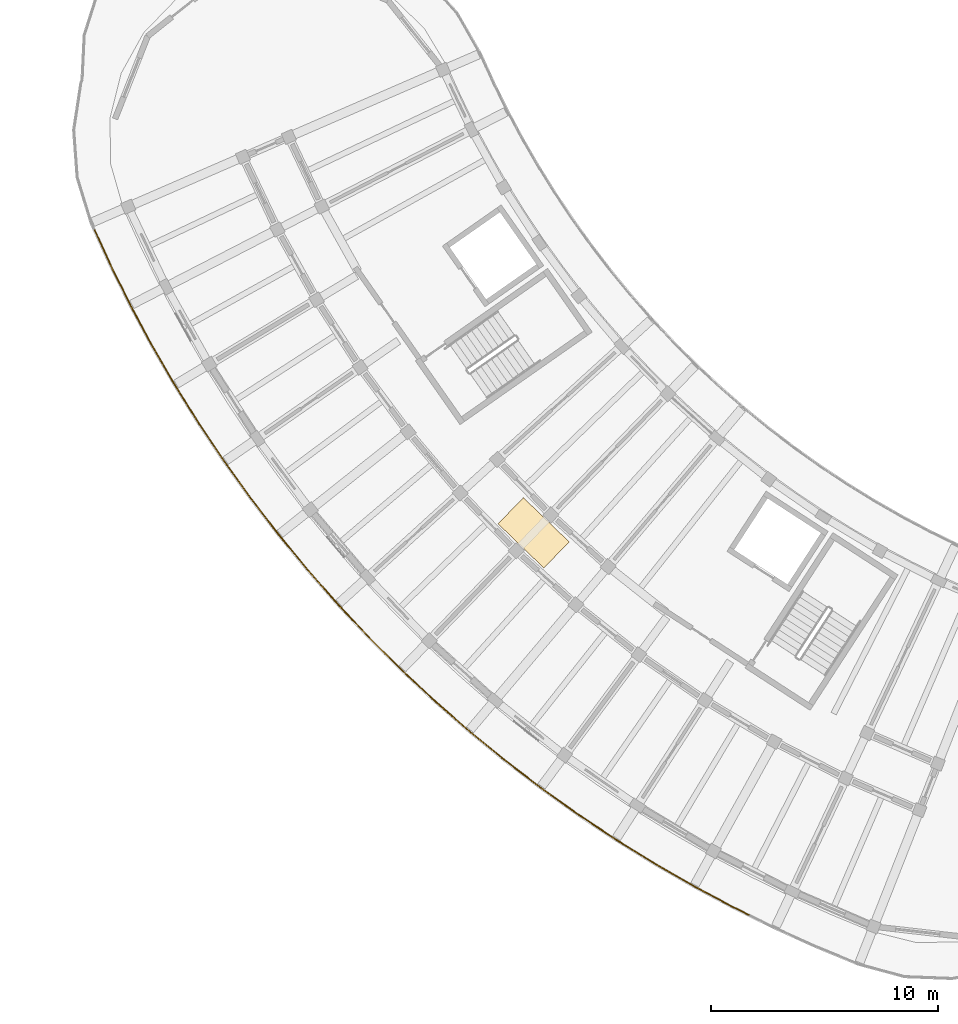
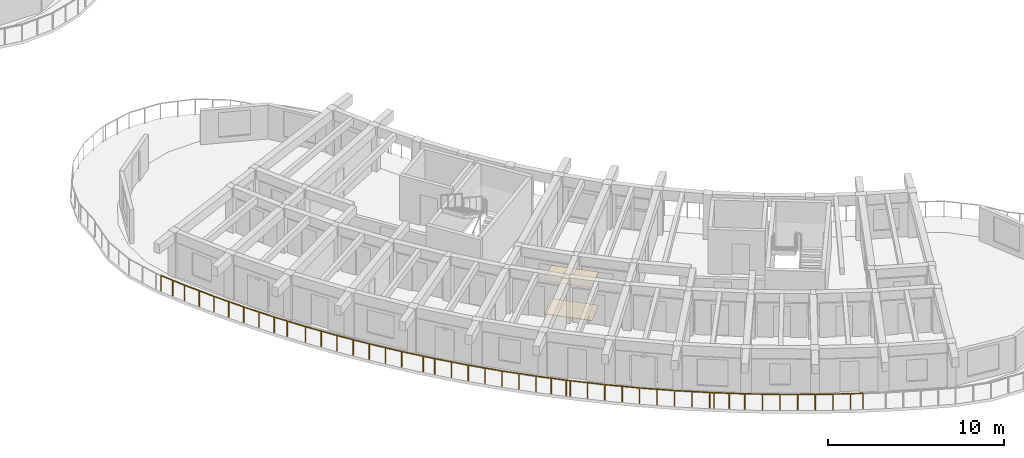
# One storey, part 42 of 56: 5 railings, 2 coverings.
"""IFC4 building model written with IfcOpenShell, lengths in metres."""

from ifc_helpers import new_model, si_unit, direction, frame, origin, origin_2d, place, context, subcontext, project, spatial, rectangle, circle, extrude, material, layer, layer_set, type_object, element, save


model = new_model("IFC4")

# Units and contexts
model_context = context("Model", 3, precision=1e-05, world=origin(), true_north=direction((0.0, 1.0)))
body_context = subcontext(model_context, "Body", "Model", "MODEL_VIEW")
ifc_project = project(units=[si_unit("LENGTHUNIT", "METRE"), si_unit("AREAUNIT", "SQUARE_METRE"), si_unit("VOLUMEUNIT", "CUBIC_METRE"), si_unit("PLANEANGLEUNIT", "RADIAN"), si_unit("MASSUNIT", "GRAM", prefix="KILO")], contexts=[model_context])

# Site, building, storey
site_placement = place(None, origin())
site = spatial("IfcSite", under=ifc_project, at=site_placement, CompositionType="ELEMENT")
building_placement = place(site_placement, origin())
building = spatial("IfcBuilding", under=site, at=building_placement, Name="Tanwirah Colonnade Gardens", CompositionType="ELEMENT")
storey_placement = place(building_placement, frame((0.0, 0.0, 29.0)))
storey = spatial("IfcBuildingStorey", under=building, at=storey_placement, Name="L08", CompositionType="ELEMENT", Elevation=29.0)

# Railings
ifc_material_1 = material(Name="Precast concrete C40/50", Category="concrete")
railing_type = type_object("IfcRailingType", Name="BAL-EXT110", PredefinedType="BALUSTRADE", material=ifc_material_1)
railing_1_placement = place(storey_placement, frame((37.6845703125, 9.6083984375, 0.0)))
element("IfcRailing", 1, at=railing_1_placement, inside=storey, type_object=railing_type, Name="Block C L08 Balcony Ribbon Balustrade 10", PredefinedType="BALUSTRADE", context=body_context, shape_type="SweptSolid", body=[
    extrude(circle(Radius=0.02392578125, at=origin_2d()), frame((-0.028076171875, 0.013916015625, 1.076171875), z_axis=(-0.897341109035, 0.441337664421, 0.0), x_axis=(-0.441337664421, -0.897341109035, 0.0)), (0.0, 0.0, 1.0), 0.6533203125),
    extrude(circle(Radius=0.02392578125, at=origin_2d()), frame((-0.669921875, 0.33056640625, 1.076171875), z_axis=(-0.882416921514, 0.470468252516, 0.0), x_axis=(-0.470468252516, -0.882416921514, 0.0)), (0.0, 0.0, 1.0), 1.944091796875),
    extrude(circle(Radius=0.02392578125, at=origin_2d()), frame((-2.440185546875, 1.275634765625, 1.076171875), z_axis=(-0.866598539642, 0.499005983021, 0.0), x_axis=(-0.499005983021, -0.866598539642, 0.0)), (0.0, 0.0, 1.0), 1.94384765625),
    extrude(circle(Radius=0.02392578125, at=origin_2d()), frame((-4.178466796875, 2.27783203125, 1.076171875), z_axis=(-0.84977735452, 0.527141771959, 0.0), x_axis=(-0.527141771959, -0.84977735452, 0.0)), (0.0, 0.0, 1.0), 1.9443359375),
    extrude(circle(Radius=0.02392578125, at=origin_2d()), frame((-5.88330078125, 3.33642578125, 1.076171875), z_axis=(-0.832050294338, 0.554700196225, 0.0), x_axis=(-0.554700196225, -0.832050294338, 0.0)), (0.0, 0.0, 1.0), 1.701416015625),
    extrude(circle(Radius=0.02099609375, at=origin_2d()), origin(), (0.0, 0.0, 1.0), 1.049072265625),
    extrude(circle(Radius=0.02099609375, at=origin_2d()), frame((-0.642333984375, 0.31591796875, 0.0)), (0.0, 0.0, 1.0), 1.049072265625),
    extrude(circle(Radius=0.02099609375, at=origin_2d()), frame((-1.52783203125, 0.7880859375, 0.0)), (0.0, 0.0, 1.0), 1.049072265625),
    extrude(circle(Radius=0.02099609375, at=origin_2d()), frame((-2.4130859375, 1.260009765625, 0.0)), (0.0, 0.0, 1.0), 1.049072265625),
    extrude(circle(Radius=0.02099609375, at=origin_2d()), frame((-3.282470703125, 1.7607421875, 0.0)), (0.0, 0.0, 1.0), 1.049072265625),
    extrude(circle(Radius=0.02099609375, at=origin_2d()), frame((-4.15185546875, 2.26123046875, 0.0)), (0.0, 0.0, 1.0), 1.049072265625),
    extrude(circle(Radius=0.02099609375, at=origin_2d()), frame((-5.00439453125, 2.7900390625, 0.0)), (0.0, 0.0, 1.0), 1.049072265625),
    extrude(circle(Radius=0.02099609375, at=origin_2d()), frame((-5.857177734375, 3.319091796875, 0.0)), (0.0, 0.0, 1.0), 1.049072265625),
    extrude(circle(Radius=0.02099609375, at=origin_2d()), frame((-6.591064453125, 3.808349609375, 0.0)), (0.0, 0.0, 1.0), 1.049072265625),
    extrude(circle(Radius=0.02099609375, at=origin_2d()), frame((-7.324951171875, 4.297607421875, 0.0)), (0.0, 0.0, 1.0), 1.049072265625),
])
railing_2_placement = place(storey_placement, frame((30.359619140625, 13.906005859375, 0.0)))
element("IfcRailing", 2, at=railing_2_placement, inside=storey, type_object=railing_type, Name="Block C L08 Balcony Ribbon Balustrade 11", PredefinedType="BALUSTRADE", context=body_context, shape_type="SweptSolid", body=[
    extrude(circle(Radius=0.02392578125, at=origin_2d()), frame((-0.026123046875, 0.017333984375, 1.076171875), z_axis=(-0.832205076382, 0.554467952946, 0.0), x_axis=(-0.554467952946, -0.832205076382, 0.0)), (0.0, 0.0, 1.0), 0.18017578125),
    extrude(circle(Radius=0.02392578125, at=origin_2d()), frame((-0.227294921875, 0.152587890625, 1.076171875), z_axis=(-0.813486769226, 0.581583421612, 0.0), x_axis=(-0.581583421612, -0.813486769226, 0.0)), (0.0, 0.0, 1.0), 1.944091796875),
    extrude(circle(Radius=0.02392578125, at=origin_2d()), frame((-1.859130859375, 1.320556640625, 1.076171875), z_axis=(-0.794033083107, 0.607874545388, 0.0), x_axis=(-0.607874545388, -0.794033083107, 0.0)), (0.0, 0.0, 1.0), 1.944091796875),
    extrude(circle(Radius=0.02392578125, at=origin_2d()), frame((-3.45166015625, 2.541015625, 1.076171875), z_axis=(-0.773707873236, 0.633542521771, 0.0), x_axis=(-0.633542521771, -0.773707873236, 0.0)), (0.0, 0.0, 1.0), 1.944091796875),
    extrude(circle(Radius=0.02392578125, at=origin_2d()), frame((-5.00341796875, 3.81298828125, 1.076171875), z_axis=(-0.752508858808, 0.658582126553, 0.0), x_axis=(-0.658582126553, -0.752508858808, 0.0)), (0.0, 0.0, 1.0), 1.944091796875),
    extrude(circle(Radius=0.02392578125, at=origin_2d()), frame((-6.512939453125, 5.13525390625, 1.076171875), z_axis=(-0.730985009194, 0.682393520143, 0.0), x_axis=(-0.682393520143, -0.730985009194, 0.0)), (0.0, 0.0, 1.0), 0.168701171875),
    extrude(circle(Radius=0.02099609375, at=origin_2d()), origin(), (0.0, 0.0, 1.0), 1.049072265625),
    extrude(circle(Radius=0.02099609375, at=origin_2d()), frame((-0.201904296875, 0.134521484375, 0.0)), (0.0, 0.0, 1.0), 1.049072265625),
    extrude(circle(Radius=0.02099609375, at=origin_2d()), frame((-1.01806640625, 0.718017578125, 0.0)), (0.0, 0.0, 1.0), 1.049072265625),
    extrude(circle(Radius=0.02099609375, at=origin_2d()), frame((-1.834228515625, 1.301513671875, 0.0)), (0.0, 0.0, 1.0), 1.049072265625),
    extrude(circle(Radius=0.02099609375, at=origin_2d()), frame((-2.630859375, 1.911376953125, 0.0)), (0.0, 0.0, 1.0), 1.049072265625),
    extrude(circle(Radius=0.02099609375, at=origin_2d()), frame((-3.427490234375, 2.521240234375, 0.0)), (0.0, 0.0, 1.0), 1.049072265625),
    extrude(circle(Radius=0.02099609375, at=origin_2d()), frame((-4.20361328125, 3.15673828125, 0.0)), (0.0, 0.0, 1.0), 1.049072265625),
    extrude(circle(Radius=0.02099609375, at=origin_2d()), frame((-4.97998046875, 3.79248046875, 0.0)), (0.0, 0.0, 1.0), 1.049072265625),
    extrude(circle(Radius=0.02099609375, at=origin_2d()), frame((-5.73486328125, 4.453125, 0.0)), (0.0, 0.0, 1.0), 1.049072265625),
    extrude(circle(Radius=0.02099609375, at=origin_2d()), frame((-6.489990234375, 5.114013671875, 0.0)), (0.0, 0.0, 1.0), 1.049072265625),
    extrude(circle(Radius=0.02099609375, at=origin_2d()), frame((-6.658935546875, 5.271728515625, 0.0)), (0.0, 0.0, 1.0), 1.049072265625),
])
railing_3_placement = place(storey_placement, frame((23.70068359375, 19.177734375, 0.0)))
element("IfcRailing", 3, at=railing_3_placement, inside=storey, type_object=railing_type, Name="Block C L08 Balcony Ribbon Balustrade 12", PredefinedType="BALUSTRADE", context=body_context, shape_type="SweptSolid", body=[
    extrude(circle(Radius=0.02392578125, at=origin_2d()), frame((-0.02294921875, 0.021240234375, 1.076171875), z_axis=(-0.730561236491, 0.682847186226, 0.0), x_axis=(-0.682847186226, -0.730561236491, 0.0)), (0.0, 0.0, 1.0), 1.712890625),
    extrude(circle(Radius=0.02392578125, at=origin_2d()), frame((-1.3193359375, 1.234375, 1.076171875), z_axis=(-0.707897217537, 0.706315460261, 0.0), x_axis=(-0.706315460261, -0.707897217537, 0.0)), (0.0, 0.0, 1.0), 1.944091796875),
    extrude(circle(Radius=0.02392578125, at=origin_2d()), frame((-2.739013671875, 2.65234375, 1.076171875), z_axis=(-0.684365955264, 0.729138696871, 0.0), x_axis=(-0.729138696871, -0.684365955264, 0.0)), (0.0, 0.0, 1.0), 1.944091796875),
    extrude(circle(Radius=0.02392578125, at=origin_2d()), frame((-4.111572265625, 4.1162109375, 1.076171875), z_axis=(-0.660199900943, 0.751089935224, 0.0), x_axis=(-0.751089935224, -0.660199900943, 0.0)), (0.0, 0.0, 1.0), 1.944091796875),
    extrude(circle(Radius=0.02392578125, at=origin_2d()), frame((-5.435302734375, 5.6240234375, 1.076171875), z_axis=(-0.635197236809, 0.77234996624, 0.0), x_axis=(-0.77234996624, -0.635197236809, 0.0)), (0.0, 0.0, 1.0), 0.642333984375),
    extrude(circle(Radius=0.02099609375, at=origin_2d()), origin(), (0.0, 0.0, 1.0), 1.049072265625),
    extrude(circle(Radius=0.02099609375, at=origin_2d()), frame((-0.6484375, 0.606201171875, 0.0)), (0.0, 0.0, 1.0), 1.049072265625),
    extrude(circle(Radius=0.02099609375, at=origin_2d()), frame((-1.297119140625, 1.21240234375, 0.0)), (0.0, 0.0, 1.0), 1.049072265625),
    extrude(circle(Radius=0.02099609375, at=origin_2d()), frame((-2.00732421875, 1.9208984375, 0.0)), (0.0, 0.0, 1.0), 1.049072265625),
    extrude(circle(Radius=0.02099609375, at=origin_2d()), frame((-2.717529296875, 2.629638671875, 0.0)), (0.0, 0.0, 1.0), 1.049072265625),
    extrude(circle(Radius=0.02099609375, at=origin_2d()), frame((-3.404296875, 3.361328125, 0.0)), (0.0, 0.0, 1.0), 1.049072265625),
    extrude(circle(Radius=0.02099609375, at=origin_2d()), frame((-4.0908203125, 4.0927734375, 0.0)), (0.0, 0.0, 1.0), 1.049072265625),
    extrude(circle(Radius=0.02099609375, at=origin_2d()), frame((-4.753173828125, 4.84619140625, 0.0)), (0.0, 0.0, 1.0), 1.049072265625),
    extrude(circle(Radius=0.02099609375, at=origin_2d()), frame((-5.41552734375, 5.599853515625, 0.0)), (0.0, 0.0, 1.0), 1.049072265625),
    extrude(circle(Radius=0.02099609375, at=origin_2d()), frame((-5.86328125, 6.144287109375, 0.0)), (0.0, 0.0, 1.0), 1.049072265625),
])
railing_4_placement = place(storey_placement, frame((17.83740234375, 25.322021484375, 0.0)))
element("IfcRailing", 4, at=railing_4_placement, inside=storey, type_object=railing_type, Name="Block C L08 Balcony Ribbon Balustrade 13", PredefinedType="BALUSTRADE", context=body_context, shape_type="SweptSolid", body=[
    extrude(circle(Radius=0.02392578125, at=origin_2d()), frame((-0.019775390625, 0.024169921875, 1.076171875), z_axis=(-0.635227237521, 0.772325292032, 0.0), x_axis=(-0.772325292032, -0.635227237521, 0.0)), (0.0, 0.0, 1.0), 1.2392578125),
    extrude(circle(Radius=0.02392578125, at=origin_2d()), frame((-0.845947265625, 1.030029296875, 1.076171875), z_axis=(-0.609669601555, 0.7926556484, 0.0), x_axis=(-0.7926556484, -0.609669601555, 0.0)), (0.0, 0.0, 1.0), 1.944091796875),
    extrude(circle(Radius=0.02392578125, at=origin_2d()), frame((-2.068603515625, 2.621337890625, 1.076171875), z_axis=(-0.583285007996, 0.812267566413, 0.0), x_axis=(-0.812267566413, -0.583285007996, 0.0)), (0.0, 0.0, 1.0), 1.944091796875),
    extrude(circle(Radius=0.02392578125, at=origin_2d()), frame((-3.238037109375, 4.251708984375, 1.076171875), z_axis=(-0.556495801451, 0.830850421537, 0.0), x_axis=(-0.830850421537, -0.556495801451, 0.0)), (0.0, 0.0, 1.0), 1.944091796875),
    extrude(circle(Radius=0.02392578125, at=origin_2d()), frame((-4.35400390625, 5.919677734375, 1.076171875), z_axis=(-0.528955606148, 0.848649495802, 0.0), x_axis=(-0.848649495802, -0.528955606148, 0.0)), (0.0, 0.0, 1.0), 1.11572265625),
    extrude(circle(Radius=0.02099609375, at=origin_2d()), origin(), (0.0, 0.0, 1.0), 1.049072265625),
    extrude(circle(Radius=0.02099609375, at=origin_2d()), frame((-0.826904296875, 1.00537109375, 0.0)), (0.0, 0.0, 1.0), 1.049072265625),
    extrude(circle(Radius=0.02099609375, at=origin_2d()), frame((-1.4384765625, 1.80078125, 0.0)), (0.0, 0.0, 1.0), 1.049072265625),
    extrude(circle(Radius=0.02099609375, at=origin_2d()), frame((-2.05029296875, 2.595947265625, 0.0)), (0.0, 0.0, 1.0), 1.049072265625),
    extrude(circle(Radius=0.02099609375, at=origin_2d()), frame((-2.635498046875, 3.410888671875, 0.0)), (0.0, 0.0, 1.0), 1.049072265625),
    extrude(circle(Radius=0.02099609375, at=origin_2d()), frame((-3.220703125, 4.225830078125, 0.0)), (0.0, 0.0, 1.0), 1.049072265625),
    extrude(circle(Radius=0.02099609375, at=origin_2d()), frame((-3.779052734375, 5.0595703125, 0.0)), (0.0, 0.0, 1.0), 1.049072265625),
    extrude(circle(Radius=0.02099609375, at=origin_2d()), frame((-4.33740234375, 5.89306640625, 0.0)), (0.0, 0.0, 1.0), 1.049072265625),
    extrude(circle(Radius=0.02099609375, at=origin_2d()), frame((-4.960693359375, 6.89306640625, 0.0)), (0.0, 0.0, 1.0), 1.049072265625),
])
railing_5_placement = place(storey_placement, frame((12.876708984375, 32.215087890625, 0.0)))
element("IfcRailing", 5, at=railing_5_placement, inside=storey, type_object=railing_type, Name="Block C L08 Balcony Ribbon Balustrade 14", PredefinedType="BALUSTRADE", context=body_context, shape_type="SweptSolid", body=[
    extrude(circle(Radius=0.02392578125, at=origin_2d()), frame((-0.0166015625, 0.026611328125, 1.076171875), z_axis=(-0.529071328381, 0.848577356217, 0.0), x_axis=(-0.848577356217, -0.529071328381, 0.0)), (0.0, 0.0, 1.0), 0.765869140625),
    extrude(circle(Radius=0.02392578125, at=origin_2d()), frame((-0.453857421875, 0.72998046875, 1.076171875), z_axis=(-0.500940340279, 0.865481816956, 0.0), x_axis=(-0.865481816956, -0.500940340279, 0.0)), (0.0, 0.0, 1.0), 1.94384765625),
    extrude(circle(Radius=0.02392578125, at=origin_2d()), frame((-1.4580078125, 2.467041015625, 1.076171875), z_axis=(-0.472342962594, 0.881414843129, 0.0), x_axis=(-0.881414843129, -0.472342962594, 0.0)), (0.0, 0.0, 1.0), 1.944091796875),
    extrude(circle(Radius=0.02392578125, at=origin_2d()), frame((-2.405029296875, 4.236083984375, 1.076171875), z_axis=(-0.443316350815, 0.896365223054, 0.0), x_axis=(-0.896365223054, -0.443316350815, 0.0)), (0.0, 0.0, 1.0), 1.9443359375),
    extrude(circle(Radius=0.02392578125, at=origin_2d()), frame((-3.293701171875, 6.035400390625, 1.076171875), z_axis=(-0.413680452253, 0.910422145723, 0.0), x_axis=(-0.910422145723, -0.413680452253, 0.0)), (0.0, 0.0, 1.0), 1.58935546875),
    extrude(circle(Radius=0.02099609375, at=origin_2d()), origin(), (0.0, 0.0, 1.0), 1.049072265625),
    extrude(circle(Radius=0.02099609375, at=origin_2d()), frame((-0.438232421875, 0.702880859375, 0.0)), (0.0, 0.0, 1.0), 1.049072265625),
    extrude(circle(Radius=0.02099609375, at=origin_2d()), frame((-0.94091796875, 1.5712890625, 0.0)), (0.0, 0.0, 1.0), 1.049072265625),
    extrude(circle(Radius=0.02099609375, at=origin_2d()), frame((-1.443359375, 2.439453125, 0.0)), (0.0, 0.0, 1.0), 1.049072265625),
    extrude(circle(Radius=0.02099609375, at=origin_2d()), frame((-1.917236328125, 3.32373046875, 0.0)), (0.0, 0.0, 1.0), 1.049072265625),
    extrude(circle(Radius=0.02099609375, at=origin_2d()), frame((-2.39111328125, 4.2080078125, 0.0)), (0.0, 0.0, 1.0), 1.049072265625),
    extrude(circle(Radius=0.02099609375, at=origin_2d()), frame((-2.8359375, 5.107421875, 0.0)), (0.0, 0.0, 1.0), 1.049072265625),
    extrude(circle(Radius=0.02099609375, at=origin_2d()), frame((-3.28076171875, 6.0068359375, 0.0)), (0.0, 0.0, 1.0), 1.049072265625),
    extrude(circle(Radius=0.02099609375, at=origin_2d()), frame((-3.62255859375, 6.7587890625, 0.0)), (0.0, 0.0, 1.0), 1.049072265625),
    extrude(circle(Radius=0.02099609375, at=origin_2d()), frame((-3.964111328125, 7.5107421875, 0.0)), (0.0, 0.0, 1.0), 1.049072265625),
])

# Coverings
ifc_material_2 = material(Name="Acoustic perforated gypsum ceiling board")
ifc_layer_1 = layer(ifc_material_2, 0.014892578125)
ifc_layer_set_1 = layer_set([ifc_layer_1], Name="Acoustic perforated gypsum ceiling board")
covering_type_1 = type_object("IfcCoveringType", Name="COV-CEIL15", PredefinedType="CEILING", material=ifc_layer_set_1)
covering_1_placement = place(storey_placement, frame((28.2177734375, 26.410888671875, 2.3125), z_axis=(0.0, 0.0, 1.0), x_axis=(0.719339800339, -0.694658370459, 0.0)))
element("IfcCovering", 6, at=covering_1_placement, inside=storey, type_object=covering_type_1, Name="Block C L08 Corridor Acoustic Ceiling", PredefinedType="CEILING", context=body_context, shape_type="SweptSolid", body=[
    extrude(rectangle(XDim=2.800048828125, YDim=1.60009765625, at=origin_2d()), origin(), (0.0, 0.0, 1.0), 0.014892578125),
])
ifc_material_3 = material(Name="Honed Abu Dhabi limestone terrazzo flooring", Category="masonry")
ifc_layer_2 = layer(ifc_material_3, 0.02001953125)
ifc_layer_set_2 = layer_set([ifc_layer_2], Name="Honed Abu Dhabi limestone terrazzo flooring")
covering_type_2 = type_object("IfcCoveringType", Name="COV-FLR20", PredefinedType="FLOORING", material=ifc_layer_set_2)
covering_2_placement = place(storey_placement, frame((28.2177734375, 26.410888671875, 0.0), z_axis=(0.0, 0.0, 1.0), x_axis=(0.719339800339, -0.694658370459, 0.0)))
element("IfcCovering", 7, at=covering_2_placement, inside=storey, type_object=covering_type_2, Name="Block C L08 Corridor Terrazzo Flooring", PredefinedType="FLOORING", context=body_context, shape_type="SweptSolid", body=[
    extrude(rectangle(XDim=2.800048828125, YDim=1.60009765625, at=origin_2d()), origin(), (0.0, 0.0, 1.0), 0.02001953125),
])

save(model, "model.ifc")
